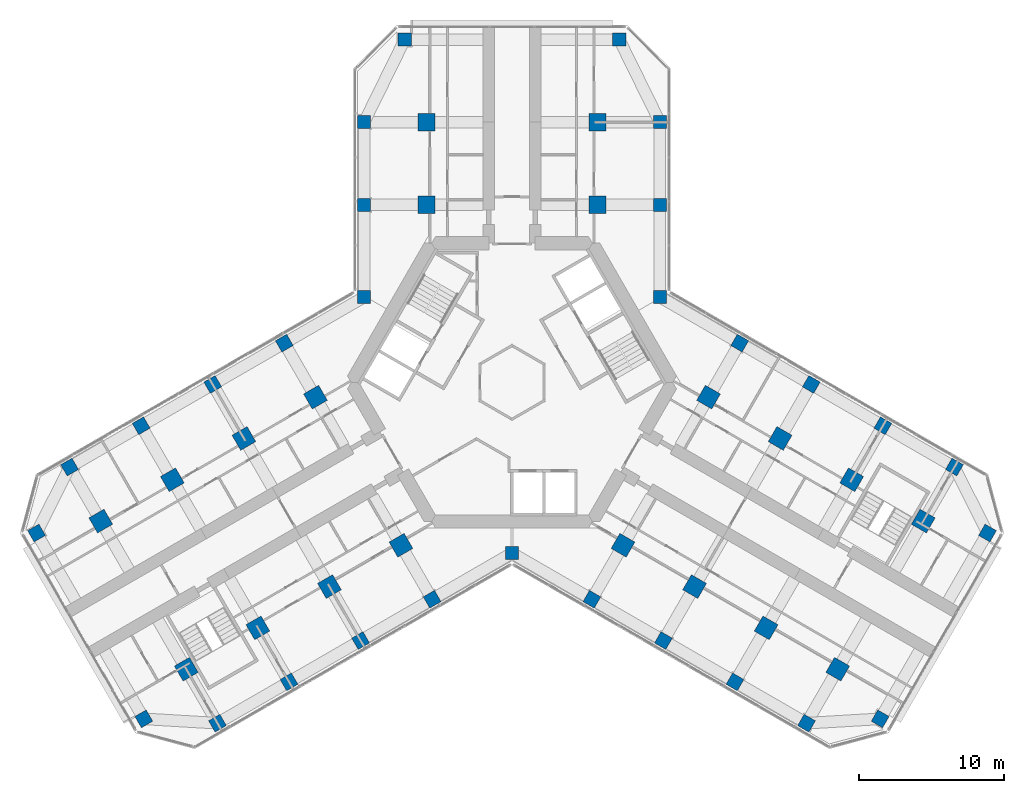
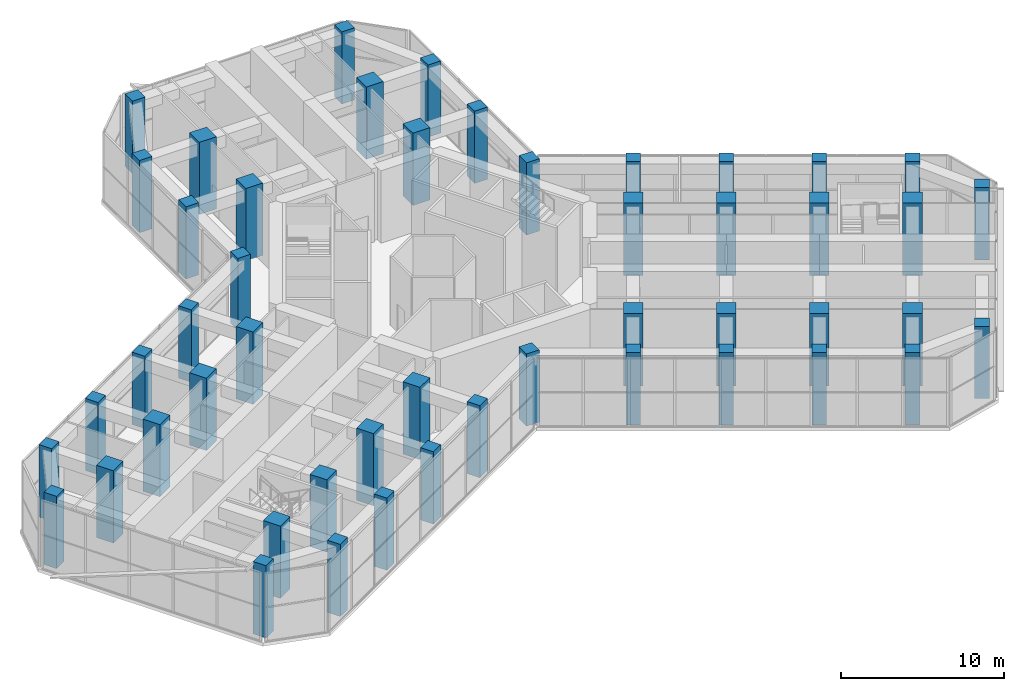
# One storey, part 1 of 20: 49 columns.
"""IFC4 building model written with IfcOpenShell, lengths in metres."""

from ifc_helpers import new_model, si_unit, direction, frame, origin, origin_2d, place, context, subcontext, project, spatial, rectangle, extrude, material, material_profile, profile_set, type_object, element, save


model = new_model("IFC4")

# Units and contexts
model_context = context("Model", 3, precision=1e-05, world=origin(), true_north=direction((0.0, 1.0)))
body_context = subcontext(model_context, "Body", "Model", "MODEL_VIEW")
ifc_project = project(units=[si_unit("LENGTHUNIT", "METRE"), si_unit("AREAUNIT", "SQUARE_METRE"), si_unit("VOLUMEUNIT", "CUBIC_METRE"), si_unit("PLANEANGLEUNIT", "RADIAN"), si_unit("MASSUNIT", "GRAM", prefix="KILO")], contexts=[model_context])

# Site, building, storey
site_placement = place(None, origin())
site = spatial("IfcSite", under=ifc_project, at=site_placement, CompositionType="ELEMENT")
building_placement = place(site_placement, origin())
building = spatial("IfcBuilding", under=site, at=building_placement, Name="Kosmar Iwan School Tower", CompositionType="ELEMENT")
storey_placement = place(building_placement, frame((0.0, 0.0, 152.60009765625)))
storey = spatial("IfcBuildingStorey", under=building, at=storey_placement, Name="L38", CompositionType="ELEMENT", Elevation=152.60009765625)

# Columns
ifc_material_1 = material(Name="Concrete C50/60", Category="concrete")
ifc_material_profile_1 = material_profile(ifc_material_1, rectangle(XDim=0.89990234375, YDim=0.89990234375, at=origin_2d()), Name="RC 900x900 + HD 400x347")
ifc_profile_set_1 = profile_set([ifc_material_profile_1], Name="Concrete C50/60")
column_type_1 = type_object("IfcColumnType", Name="Composite column 900x900 HD 400x347", PredefinedType="COLUMN", material=ifc_profile_set_1)
for number, where, z_axis, x_axis, name in (
    (1, (-10.199951171875, 12.25, 0.0), (0.0, 0.0, 1.0), (0.0, 1.0, 0.0), "Column AL1 L38"),
    (2, (-10.199951171875, 17.949951171875, 0.0), (0.0, 0.0, 1.0), (0.0, 1.0, 0.0), "Column AL2 L38"),
    (3, (-7.39990234375, 23.64990234375, 0.0), (0.0, 0.0, 1.0), (0.0, 1.0, 0.0), "Column ALTIP L38"),
    (4, (10.199951171875, 12.25, 0.0), (0.0, 0.0, 1.0), (0.0, 1.0, 0.0), "Column AR1 L38"),
    (5, (10.199951171875, 17.949951171875, 0.0), (0.0, 0.0, 1.0), (0.0, 1.0, 0.0), "Column AR2 L38"),
    (6, (7.39990234375, 23.64990234375, 0.0), (0.0, 0.0, 1.0), (0.0, 1.0, 0.0), "Column ARTIP L38"),
    (7, (-5.5087890625, -14.95849609375, 0.0), (0.0, 0.0, 1.0), (-0.866025403784, -0.5, 0.0), "Column BL1 L38"),
    (8, (-10.445068359375, -17.808349609375, 0.0), (0.0, 0.0, 1.0), (-0.866025403784, -0.5, 0.0), "Column BL2 L38"),
    (9, (-15.381591796875, -20.658447265625, 0.0), (0.0, 0.0, 1.0), (-0.866025403784, -0.5, 0.0), "Column BL3 L38"),
    (10, (-20.31787109375, -23.508544921875, 0.0), (0.0, 0.0, 1.0), (-0.866025403784, -0.5, 0.0), "Column BL4 L38"),
    (11, (-25.3984375, -23.20849609375, 0.0), (0.0, 0.0, 1.0), (-0.866025403784, -0.5, 0.0), "Column BLTIP L38"),
    (12, (-15.708740234375, 2.70849609375, 0.0), (0.0, 0.0, 1.0), (-0.866025403784, -0.5, 0.0), "Column BR1 L38"),
    (13, (-20.645263671875, -0.1416015625, 0.0), (0.0, 0.0, 1.0), (-0.866025403784, -0.5, 0.0), "Column BR2 L38"),
    (14, (-25.58154296875, -2.991455078125, 0.0), (0.0, 0.0, 1.0), (-0.866025403784, -0.5, 0.0), "Column BR3 L38"),
    (15, (-30.517822265625, -5.841552734375, 0.0), (0.0, 0.0, 1.0), (-0.866025403784, -0.5, 0.0), "Column BR4 L38"),
    (16, (-32.79833984375, -10.391357421875, 0.0), (0.0, 0.0, 1.0), (-0.866025403784, -0.5, 0.0), "Column BRTIP L38"),
    (17, (15.708740234375, 2.70849609375, 0.0), (0.0, 0.0, 1.0), (0.866025403784, -0.5, 0.0), "Column CL1 L38"),
    (18, (20.645263671875, -0.1416015625, 0.0), (0.0, 0.0, 1.0), (0.866025403784, -0.5, 0.0), "Column CL2 L38"),
    (19, (25.58154296875, -2.991455078125, 0.0), (0.0, 0.0, 1.0), (0.866025403784, -0.5, 0.0), "Column CL3 L38"),
    (20, (30.517822265625, -5.841552734375, 0.0), (0.0, 0.0, 1.0), (0.866025403784, -0.5, 0.0), "Column CL4 L38"),
    (21, (32.79833984375, -10.391357421875, 0.0), (0.0, 0.0, 1.0), (0.866025403784, -0.5, 0.0), "Column CLTIP L38"),
    (22, (5.5087890625, -14.95849609375, 0.0), (0.0, 0.0, 1.0), (0.866025403784, -0.5, 0.0), "Column CR1 L38"),
    (23, (10.445068359375, -17.808349609375, 0.0), (0.0, 0.0, 1.0), (0.866025403784, -0.5, 0.0), "Column CR2 L38"),
    (24, (15.381591796875, -20.658447265625, 0.0), (0.0, 0.0, 1.0), (0.866025403784, -0.5, 0.0), "Column CR3 L38"),
    (25, (20.31787109375, -23.508544921875, 0.0), (0.0, 0.0, 1.0), (0.866025403784, -0.5, 0.0), "Column CR4 L38"),
    (26, (25.3984375, -23.20849609375, 0.0), (0.0, 0.0, 1.0), (0.866025403784, -0.5, 0.0), "Column CRTIP L38"),
    (27, (-10.199951171875, 5.888916015625, 0.0), (0.0, 0.0, 1.0), (1.0, 0.0, 0.0), "Column RAB L38"),
    (28, (10.199951171875, 5.888916015625, 0.0), (0.0, 0.0, 1.0), (1.0, 0.0, 0.0), "Column RAC L38"),
    (29, (0.0, -11.77783203125, 0.0), (0.0, 0.0, 1.0), (1.0, 0.0, 0.0), "Column RBC L38"),
):
    element("IfcColumn", number, at=place(storey_placement, frame(where, z_axis=z_axis, x_axis=x_axis)), inside=storey, type_object=column_type_1, Name=name, PredefinedType="COLUMN", context=body_context, shape_type="SweptSolid", body=[
        extrude(rectangle(XDim=0.89990234375, YDim=0.89990234375, at=origin_2d()), origin(), (0.0, 0.0, 1.0), 5.39990234375),
    ])
ifc_material_2 = material(Name="Concrete C50/60", Category="concrete")
ifc_material_profile_2 = material_profile(ifc_material_2, rectangle(XDim=1.199951171875, YDim=1.199951171875, at=origin_2d()), Name="RC 1200x1200")
ifc_profile_set_2 = profile_set([ifc_material_profile_2], Name="Concrete C50/60")
column_type_2 = type_object("IfcColumnType", Name="RC interior column 1200x1200", PredefinedType="COLUMN", material=ifc_profile_set_2)
for number, where, z_axis, x_axis, name in (
    (30, (-5.89990234375, 12.25, 0.0), (0.0, 0.0, 1.0), (0.0, 1.0, 0.0), "Interior column ALI1 L38"),
    (31, (-5.89990234375, 17.949951171875, 0.0), (0.0, 0.0, 1.0), (0.0, 1.0, 0.0), "Interior column ALI2 L38"),
    (32, (5.89990234375, 12.25, 0.0), (0.0, 0.0, 1.0), (0.0, 1.0, 0.0), "Interior column ARI1 L38"),
    (33, (5.89990234375, 17.949951171875, 0.0), (0.0, 0.0, 1.0), (0.0, 1.0, 0.0), "Interior column ARI2 L38"),
    (34, (-7.65869140625, -11.234619140625, 0.0), (0.0, 0.0, 1.0), (-0.866025403784, -0.5, 0.0), "Interior column BLI1 L38"),
    (35, (-12.59521484375, -14.08447265625, 0.0), (0.0, 0.0, 1.0), (-0.866025403784, -0.5, 0.0), "Interior column BLI2 L38"),
    (36, (-17.531494140625, -16.9345703125, 0.0), (0.0, 0.0, 1.0), (-0.866025403784, -0.5, 0.0), "Interior column BLI3 L38"),
    (37, (-22.4677734375, -19.78466796875, 0.0), (0.0, 0.0, 1.0), (-0.866025403784, -0.5, 0.0), "Interior column BLI4 L38"),
    (38, (-13.558837890625, -1.015380859375, 0.0), (0.0, 0.0, 1.0), (-0.866025403784, -0.5, 0.0), "Interior column BRI1 L38"),
    (39, (-18.4951171875, -3.865478515625, 0.0), (0.0, 0.0, 1.0), (-0.866025403784, -0.5, 0.0), "Interior column BRI2 L38"),
    (40, (-23.431396484375, -6.71533203125, 0.0), (0.0, 0.0, 1.0), (-0.866025403784, -0.5, 0.0), "Interior column BRI3 L38"),
    (41, (-28.367919921875, -9.5654296875, 0.0), (0.0, 0.0, 1.0), (-0.866025403784, -0.5, 0.0), "Interior column BRI4 L38"),
    (42, (13.558837890625, -1.015380859375, 0.0), (0.0, 0.0, 1.0), (0.866025403784, -0.5, 0.0), "Interior column CLI1 L38"),
    (43, (18.4951171875, -3.865478515625, 0.0), (0.0, 0.0, 1.0), (0.866025403784, -0.5, 0.0), "Interior column CLI2 L38"),
    (44, (23.431396484375, -6.71533203125, 0.0), (0.0, 0.0, 1.0), (0.866025403784, -0.5, 0.0), "Interior column CLI3 L38"),
    (45, (28.367919921875, -9.5654296875, 0.0), (0.0, 0.0, 1.0), (0.866025403784, -0.5, 0.0), "Interior column CLI4 L38"),
    (46, (7.65869140625, -11.234619140625, 0.0), (0.0, 0.0, 1.0), (0.866025403784, -0.5, 0.0), "Interior column CRI1 L38"),
    (47, (12.59521484375, -14.08447265625, 0.0), (0.0, 0.0, 1.0), (0.866025403784, -0.5, 0.0), "Interior column CRI2 L38"),
    (48, (17.531494140625, -16.9345703125, 0.0), (0.0, 0.0, 1.0), (0.866025403784, -0.5, 0.0), "Interior column CRI3 L38"),
    (49, (22.4677734375, -19.78466796875, 0.0), (0.0, 0.0, 1.0), (0.866025403784, -0.5, 0.0), "Interior column CRI4 L38"),
):
    element("IfcColumn", number, at=place(storey_placement, frame(where, z_axis=z_axis, x_axis=x_axis)), inside=storey, type_object=column_type_2, Name=name, PredefinedType="COLUMN", context=body_context, shape_type="SweptSolid", body=[
        extrude(rectangle(XDim=1.199951171875, YDim=1.199951171875, at=origin_2d()), origin(), (0.0, 0.0, 1.0), 5.39990234375),
    ])

save(model, "model.ifc")
